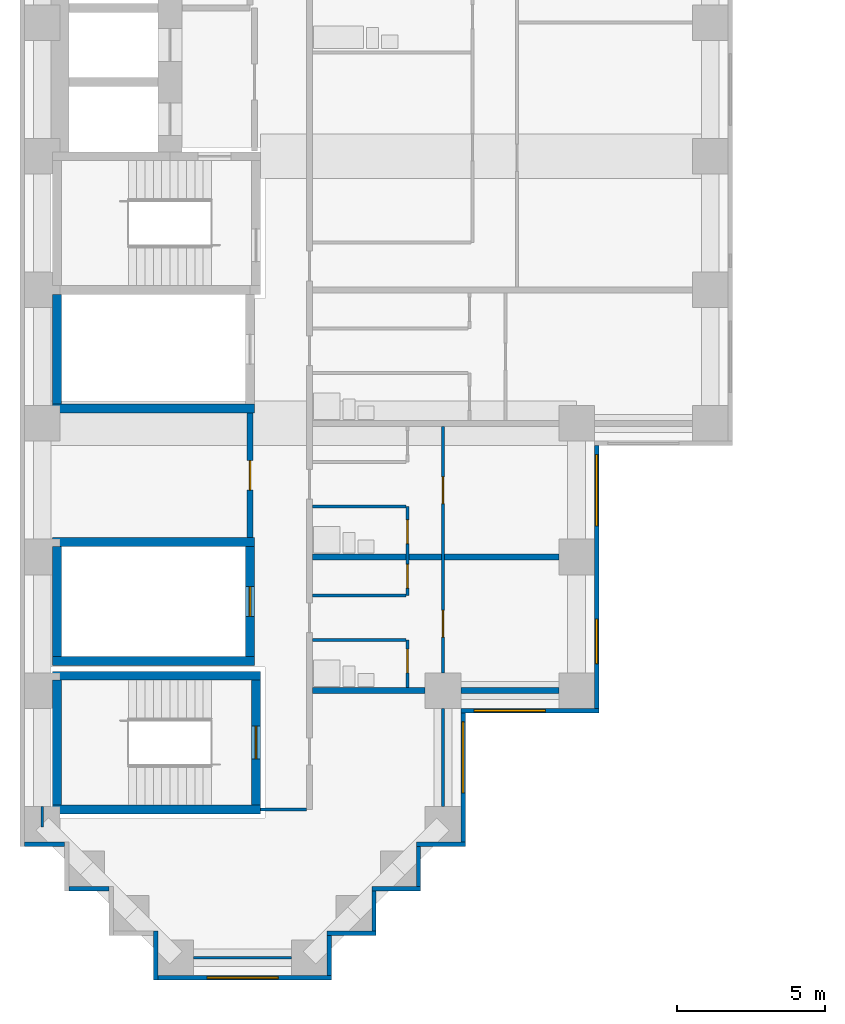
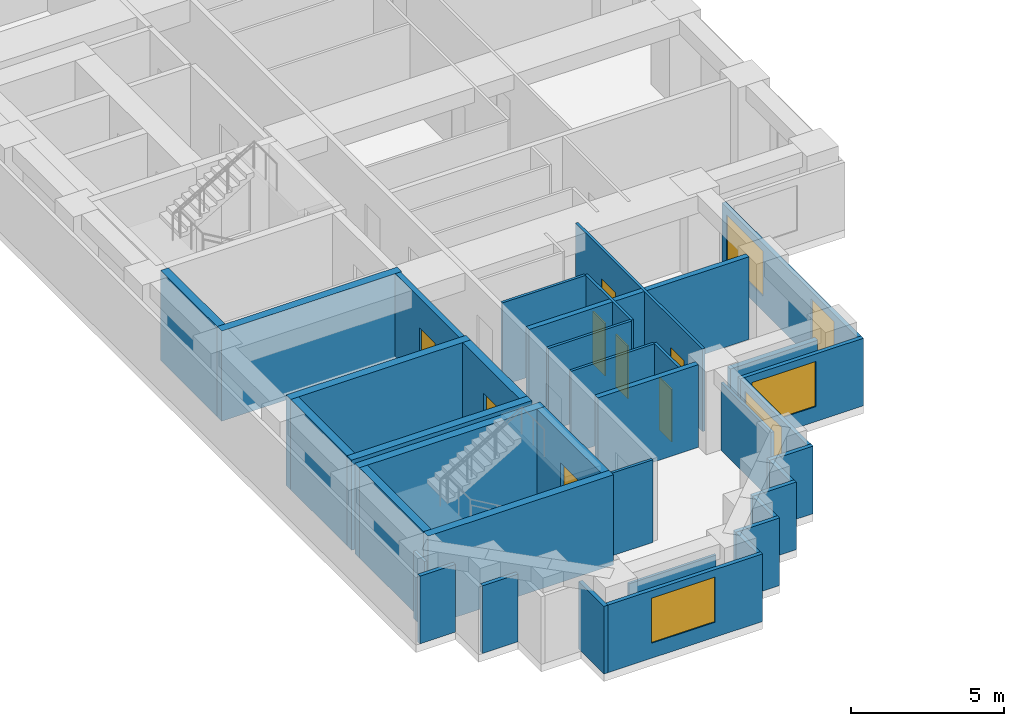
# One storey, part 2 of 12: 37 walls, 8 doors, 5 windows, 13 openings.
"""IFC4 building model written with IfcOpenShell, lengths in metres."""

from ifc_helpers import new_model, si_unit, direction, frame, frame_2d, origin, place, context, subcontext, project, spatial, rectangle, extrude, material, layer, layer_set, type_object, element, fill, save


model = new_model("IFC4")

# Units and contexts
model_context = context("Model", 3, precision=1e-05, world=origin(), true_north=direction((0.0, 1.0)))
body_context = subcontext(model_context, "Body", "Model", "MODEL_VIEW")
ifc_project = project(units=[si_unit("LENGTHUNIT", "METRE"), si_unit("AREAUNIT", "SQUARE_METRE"), si_unit("VOLUMEUNIT", "CUBIC_METRE"), si_unit("PLANEANGLEUNIT", "RADIAN"), si_unit("MASSUNIT", "GRAM", prefix="KILO")], contexts=[model_context])

# Site, building, storey
site_placement = place(None, origin())
site = spatial("IfcSite", under=ifc_project, at=site_placement, CompositionType="ELEMENT")
building_placement = place(site_placement, origin())
building = spatial("IfcBuilding", under=site, at=building_placement, Name="Firuza Court", CompositionType="ELEMENT")
storey_placement = place(building_placement, frame((0.0, 0.0, 39.800048828125)))
storey = spatial("IfcBuildingStorey", under=building, at=storey_placement, Name="L08", CompositionType="ELEMENT", Elevation=39.800048828125)

# Walls
ifc_material_1 = material(Name="Moisture-resistant gypsum board partition")
ifc_layer_1 = layer(ifc_material_1, 0.10009765625)
ifc_layer_set_1 = layer_set([ifc_layer_1], Name="Moisture-resistant gypsum board partition")
wall_type_1 = type_object("IfcWallType", Name="Bathroom partition 100", PredefinedType="PLUMBINGWALL", material=ifc_layer_set_1)
for number, where, z_axis, x_axis, name in (
    (1, (9.10009765625, 10.699951171875, 0.0), (0.0, 0.0, 1.0), (1.0, 0.0, 0.0), "Bathroom partition 100 L08"),
    (2, (9.10009765625, 15.199951171875, 0.0), (0.0, 0.0, 1.0), (1.0, 0.0, 0.0), "Bathroom partition 100 L08"),
):
    element("IfcWall", number, at=place(storey_placement, frame(where, z_axis=z_axis, x_axis=x_axis)), inside=storey, type_object=wall_type_1, Name=name, PredefinedType="PLUMBINGWALL", context=body_context, shape_type="SweptSolid", body=[
        extrude(rectangle(XDim=3.14990234375, YDim=0.10009765625, at=frame_2d((1.574951171875, 0.0))), origin(), (0.0, 0.0, 1.0), 3.300048828125),
    ])
ifc_material_2 = material(Name="Concrete C60/75", Category="concrete")
ifc_layer_2 = layer(ifc_material_2, 0.300048828125)
ifc_layer_set_2 = layer_set([ifc_layer_2], Name="Concrete C60/75")
wall_type_2 = type_object("IfcWallType", Name="Core wall 300 C60/75", PredefinedType="SHEAR", material=ifc_layer_set_2)
for number, where, z_axis, x_axis, name in (
    (3, (0.35009765625, 5.0, -0.300048828125), (0.0, 0.0, 1.0), (1.0, 0.0, 0.0), "Core wall stair L08"),
    (4, (0.35009765625, 9.5, -0.300048828125), (0.0, 0.0, 1.0), (1.0, 0.0, 0.0), "Core wall stair L08"),
):
    element("IfcWall", number, at=place(storey_placement, frame(where, z_axis=z_axis, x_axis=x_axis)), inside=storey, type_object=wall_type_2, Name=name, PredefinedType="SHEAR", context=body_context, shape_type="SweptSolid", body=[
        extrude(rectangle(XDim=7.0, YDim=0.300048828125, at=frame_2d((3.5, 0.0))), origin(), (0.0, 0.0, 1.0), 3.60009765625),
    ])
for number, where, z_axis, x_axis, name in (
    (5, (0.35009765625, 10.0, -0.300048828125), (0.0, 0.0, 1.0), (1.0, 0.0, 0.0), "Core wall riser L08"),
    (6, (0.35009765625, 14.0, -0.300048828125), (0.0, 0.0, 1.0), (1.0, 0.0, 0.0), "Core wall riser L08"),
    (7, (0.35009765625, 18.5, -0.300048828125), (0.0, 0.0, 1.0), (1.0, 0.0, 0.0), "Core wall riser L08"),
):
    element("IfcWall", number, at=place(storey_placement, frame(where, z_axis=z_axis, x_axis=x_axis)), inside=storey, type_object=wall_type_2, Name=name, PredefinedType="SHEAR", context=body_context, shape_type="SweptSolid", body=[
        extrude(rectangle(XDim=6.7998046875, YDim=0.300048828125, at=frame_2d((3.39990234375, 0.0))), origin(), (0.0, 0.0, 1.0), 3.60009765625),
    ])
wall_1_placement = place(storey_placement, frame((0.5, 5.14990234375, -0.300048828125), z_axis=(0.0, 0.0, 1.0), x_axis=(0.0, 1.0, 0.0)))
element("IfcWall", 8, at=wall_1_placement, inside=storey, type_object=wall_type_2, Name="Core wall stair L08", PredefinedType="SHEAR", context=body_context, shape_type="SweptSolid", body=[
    extrude(rectangle(XDim=4.2001953125, YDim=0.300048828125, at=frame_2d((2.10009765625, 0.0))), origin(), (0.0, 0.0, 1.0), 3.60009765625),
])
for number, where, z_axis, x_axis, name in (
    (9, (0.5, 10.14990234375, -0.300048828125), (0.0, 0.0, 1.0), (0.0, 1.0, 0.0), "Core wall riser L08"),
    (10, (0.5, 18.64990234375, -0.300048828125), (0.0, 0.0, 1.0), (0.0, 1.0, 0.0), "Core wall riser L08"),
):
    element("IfcWall", number, at=place(storey_placement, frame(where, z_axis=z_axis, x_axis=x_axis)), inside=storey, type_object=wall_type_2, Name=name, PredefinedType="SHEAR", context=body_context, shape_type="SweptSolid", body=[
        extrude(rectangle(XDim=3.7001953125, YDim=0.300048828125, at=frame_2d((1.85009765625, 0.0))), origin(), (0.0, 0.0, 1.0), 3.60009765625),
    ])

# Wall, opening, door
wall_2_placement = place(storey_placement, frame((7.0, 10.14990234375, -0.300048828125), z_axis=(0.0, 0.0, 1.0), x_axis=(0.0, 1.0, 0.0)))
wall_2 = element("IfcWall", 11, at=wall_2_placement, inside=storey, type_object=wall_type_2, Name="Core wall riser L08", PredefinedType="SHEAR", context=body_context, shape_type="SweptSolid", body=[
    extrude(rectangle(XDim=3.7001953125, YDim=0.300048828125, at=frame_2d((1.85009765625, 0.0))), origin(), (0.0, 0.0, 1.0), 3.60009765625),
])
opening_1_placement = place(wall_2_placement, frame((1.35009765625, 0.0, 0.300048828125)))
opening_1 = element("IfcOpeningElement", 12, at=opening_1_placement, cuts=wall_2, Name="Opening D08012", PredefinedType="OPENING", context=body_context, shape_type="SweptSolid", body=[
    extrude(rectangle(XDim=1.0, YDim=2.10009765625, at=frame_2d((0.5, 1.050048828125))), frame((0.0, 0.162109375, 0.0), z_axis=(0.0, -1.0, 0.0), x_axis=(1.0, 0.0, 0.0)), (0.0, 0.0, 1.0), 0.323974609375),
])
ifc_material_3 = material(Name="Timber door leaf in hardwood frame", Category="wood")
door_type_1 = type_object("IfcDoorType", Name="Riser door 1000", OperationType="SINGLE_SWING_LEFT", PredefinedType="DOOR", material=ifc_material_3)
door_1_placement = place(opening_1_placement, origin())
door_1 = element("IfcDoor", 13, at=door_1_placement, inside=storey, type_object=door_type_1, Name="Riser door R4", OperationType="SINGLE_SWING_LEFT", OverallHeight=2.10009765625, OverallWidth=1.0, PredefinedType="DOOR", context=body_context, shape_type="SweptSolid", body=[
    extrude(rectangle(XDim=1.0, YDim=2.10009765625, at=frame_2d((0.5, 1.050048828125))), frame((0.0, 0.02490234375, 0.0), z_axis=(0.0, -1.0, 0.0), x_axis=(1.0, 0.0, 0.0)), (0.0, 0.0, 1.0), 0.050048828125),
])
fill(opening_1, door_1)

wall_3_placement = place(storey_placement, frame((7.199951171875, 5.14990234375, -0.300048828125), z_axis=(0.0, 0.0, 1.0), x_axis=(0.0, 1.0, 0.0)))
wall_3 = element("IfcWall", 14, at=wall_3_placement, inside=storey, type_object=wall_type_2, Name="Core wall stair L08", PredefinedType="SHEAR", context=body_context, shape_type="SweptSolid", body=[
    extrude(rectangle(XDim=4.2001953125, YDim=0.300048828125, at=frame_2d((2.10009765625, 0.0))), origin(), (0.0, 0.0, 1.0), 3.60009765625),
])
opening_2_placement = place(wall_3_placement, frame((1.550048828125, 0.0, 0.300048828125)))
opening_2 = element("IfcOpeningElement", 15, at=opening_2_placement, cuts=wall_3, Name="Opening D08018", PredefinedType="OPENING", context=body_context, shape_type="SweptSolid", body=[
    extrude(rectangle(XDim=1.10009765625, YDim=2.10009765625, at=frame_2d((0.550048828125, 1.050048828125))), frame((0.0, 0.162109375, 0.0), z_axis=(0.0, -1.0, 0.0), x_axis=(1.0, 0.0, 0.0)), (0.0, 0.0, 1.0), 0.323974609375),
])
ifc_material_4 = material(Name="Timber door leaf in hardwood frame", Category="wood")
door_type_2 = type_object("IfcDoorType", Name="Stair door 1100", OperationType="SINGLE_SWING_LEFT", PredefinedType="DOOR", material=ifc_material_4)
door_2_placement = place(opening_2_placement, origin())
door_2 = element("IfcDoor", 16, at=door_2_placement, inside=storey, type_object=door_type_2, Name="Stair door S5", OperationType="SINGLE_SWING_LEFT", OverallHeight=2.10009765625, OverallWidth=1.10009765625, PredefinedType="DOOR", context=body_context, shape_type="SweptSolid", body=[
    extrude(rectangle(XDim=1.10009765625, YDim=2.10009765625, at=frame_2d((0.550048828125, 1.050048828125))), frame((0.0, 0.02490234375, 0.0), z_axis=(0.0, -1.0, 0.0), x_axis=(1.0, 0.0, 0.0)), (0.0, 0.0, 1.0), 0.050048828125),
])
fill(opening_2, door_2)

ifc_material_5 = material(Name="Blockwork, plastered both sides", Category="masonry")
ifc_layer_3 = layer(ifc_material_5, 0.199951171875)
ifc_layer_set_3 = layer_set([ifc_layer_3], Name="Blockwork, plastered both sides")
wall_type_3 = type_object("IfcWallType", Name="Corridor wall 200", PredefinedType="PARTITIONING", material=ifc_layer_set_3)
wall_4_placement = place(storey_placement, frame((7.0, 14.14990234375, 0.0), z_axis=(0.0, 0.0, 1.0), x_axis=(0.0, 1.0, 0.0)))
wall_4 = element("IfcWall", 17, at=wall_4_placement, inside=storey, type_object=wall_type_3, Name="Corridor wall 200 L08", PredefinedType="PARTITIONING", context=body_context, shape_type="SweptSolid", body=[
    extrude(rectangle(XDim=4.2001953125, YDim=0.199951171875, at=frame_2d((2.10009765625, 0.0))), origin(), (0.0, 0.0, 1.0), 3.300048828125),
])
opening_3_placement = place(wall_4_placement, frame((1.60009765625, 0.0, 0.0)))
opening_3 = element("IfcOpeningElement", 18, at=opening_3_placement, cuts=wall_4, Name="Opening D08030", PredefinedType="OPENING", context=body_context, shape_type="SweptSolid", body=[
    extrude(rectangle(XDim=1.0, YDim=2.10009765625, at=frame_2d((0.5, 1.050048828125))), frame((0.0, 0.11181640625, 0.0), z_axis=(0.0, -1.0, 0.0), x_axis=(1.0, 0.0, 0.0)), (0.0, 0.0, 1.0), 0.223876953125),
])
ifc_material_6 = material(Name="Timber door leaf in hardwood frame", Category="wood")
door_type_3 = type_object("IfcDoorType", Name="Store door 1000", OperationType="SINGLE_SWING_LEFT", PredefinedType="DOOR", material=ifc_material_6)
door_3_placement = place(opening_3_placement, origin())
door_3 = element("IfcDoor", 19, at=door_3_placement, inside=storey, type_object=door_type_3, Name="Parcel room door", OperationType="SINGLE_SWING_LEFT", OverallHeight=2.10009765625, OverallWidth=1.0, PredefinedType="DOOR", context=body_context, shape_type="SweptSolid", body=[
    extrude(rectangle(XDim=1.0, YDim=2.10009765625, at=frame_2d((0.5, 1.050048828125))), frame((0.0, 0.02490234375, 0.0), z_axis=(0.0, -1.0, 0.0), x_axis=(1.0, 0.0, 0.0)), (0.0, 0.0, 1.0), 0.050048828125),
])
fill(opening_3, door_3)

# Walls
ifc_material_7 = material(Name="Timber stud partition, plasterboard both sides", Category="wood")
ifc_layer_4 = layer(ifc_material_7, 0.10009765625)
ifc_layer_set_4 = layer_set([ifc_layer_4], Name="Timber stud partition, plasterboard both sides")
wall_type_4 = type_object("IfcWallType", Name="Partition wall 100", PredefinedType="PARTITIONING", material=ifc_layer_set_4)
wall_5_placement = place(storey_placement, frame((5.10009765625, 0.0, 0.0), z_axis=(0.0, 0.0, 1.0), x_axis=(1.0, 0.0, 0.0)))
element("IfcWall", 20, at=wall_5_placement, inside=storey, type_object=wall_type_4, Name="Partition wall 100 L08", PredefinedType="PARTITIONING", context=body_context, shape_type="SweptSolid", body=[
    extrude(rectangle(XDim=3.2998046875, YDim=0.10009765625, at=frame_2d((1.64990234375, 0.0))), origin(), (0.0, 0.0, 1.0), 2.699951171875),
])
wall_6_placement = place(storey_placement, frame((0.0, 4.39990234375, 0.0), z_axis=(0.0, 0.0, 1.0), x_axis=(0.0, 1.0, 0.0)))
element("IfcWall", 21, at=wall_6_placement, inside=storey, type_object=wall_type_4, Name="Partition wall 100 L08", PredefinedType="PARTITIONING", context=body_context, shape_type="SweptSolid", body=[
    extrude(rectangle(XDim=0.7001953125, YDim=0.10009765625, at=frame_2d((0.35009765625, 0.0))), origin(), (0.0, 0.0, 1.0), 2.699951171875),
])
wall_7_placement = place(storey_placement, frame((7.34912109375, 5.0, 0.0), z_axis=(0.0, 0.0, 1.0), x_axis=(1.0, 0.0, 0.0)))
element("IfcWall", 22, at=wall_7_placement, inside=storey, type_object=wall_type_4, Name="Partition wall 100 L08", PredefinedType="PARTITIONING", context=body_context, shape_type="SweptSolid", body=[
    extrude(rectangle(XDim=1.55078125, YDim=0.10009765625, at=frame_2d((0.775390625, 0.0))), origin(), (0.0, 0.0, 1.0), 3.300048828125),
])
wall_8_placement = place(storey_placement, frame((13.5, 5.10009765625, 0.0), z_axis=(0.0, 0.0, 1.0), x_axis=(0.0, 1.0, 0.0)))
element("IfcWall", 23, at=wall_8_placement, inside=storey, type_object=wall_type_4, Name="Partition wall 100 L08", PredefinedType="PARTITIONING", context=body_context, shape_type="SweptSolid", body=[
    extrude(rectangle(XDim=3.2998046875, YDim=0.10009765625, at=frame_2d((1.64990234375, 0.0))), origin(), (0.0, 0.0, 1.0), 2.699951171875),
])

# Wall, opening, door
wall_9_placement = place(storey_placement, frame((12.300048828125, 9.10009765625, 0.0), z_axis=(0.0, 0.0, 1.0), x_axis=(0.0, 1.0, 0.0)))
wall_9 = element("IfcWall", 24, at=wall_9_placement, inside=storey, type_object=wall_type_4, Name="Partition wall 100 L08", PredefinedType="PARTITIONING", context=body_context, shape_type="SweptSolid", body=[
    extrude(rectangle(XDim=1.599853515625, YDim=0.10009765625, at=frame_2d((0.7998046875, 0.0))), origin(), (0.0, 0.0, 1.0), 3.300048828125),
])
opening_4_placement = place(wall_9_placement, frame((0.5, 0.0, 0.0)))
opening_4 = element("IfcOpeningElement", 25, at=opening_4_placement, cuts=wall_9, Name="Opening D08025", PredefinedType="OPENING", context=body_context, shape_type="SweptSolid", body=[
    extrude(rectangle(XDim=0.800048828125, YDim=2.10009765625, at=frame_2d((0.39990234375, 1.050048828125))), frame((0.0, 0.06201171875, 0.0), z_axis=(0.0, -1.0, 0.0), x_axis=(1.0, 0.0, 0.0)), (0.0, 0.0, 1.0), 0.1240234375),
])
ifc_material_8 = material(Name="Timber door leaf in hardwood frame", Category="wood")
door_type_4 = type_object("IfcDoorType", Name="Bathroom door 800", OperationType="SINGLE_SWING_LEFT", PredefinedType="DOOR", material=ifc_material_8)
door_4_placement = place(opening_4_placement, origin())
door_4 = element("IfcDoor", 26, at=door_4_placement, inside=storey, type_object=door_type_4, Name="Bathroom door", OperationType="SINGLE_SWING_RIGHT", OverallHeight=2.10009765625, OverallWidth=0.800048828125, PredefinedType="DOOR", context=body_context, shape_type="SweptSolid", body=[
    extrude(rectangle(XDim=0.800048828125, YDim=2.10009765625, at=frame_2d((0.39990234375, 1.050048828125))), frame((0.0, 0.02490234375, 0.0), z_axis=(0.0, -1.0, 0.0), x_axis=(1.0, 0.0, 0.0)), (0.0, 0.0, 1.0), 0.050048828125),
])
fill(opening_4, door_4)

# Wall, openings, doors
wall_10_placement = place(storey_placement, frame((13.5, 9.60009765625, 0.0), z_axis=(0.0, 0.0, 1.0), x_axis=(0.0, 1.0, 0.0)))
wall_10 = element("IfcWall", 27, at=wall_10_placement, inside=storey, type_object=wall_type_4, Name="Partition wall 100 L08", PredefinedType="PARTITIONING", context=body_context, shape_type="SweptSolid", body=[
    extrude(rectangle(XDim=8.2998046875, YDim=0.10009765625, at=frame_2d((4.14990234375, 0.0))), origin(), (0.0, 0.0, 1.0), 3.300048828125),
])
opening_5_placement = place(wall_10_placement, frame((5.699951171875, 0.0, 0.0)))
opening_5 = element("IfcOpeningElement", 28, at=opening_5_placement, cuts=wall_10, Name="Opening D08026", PredefinedType="OPENING", context=body_context, shape_type="SweptSolid", body=[
    extrude(rectangle(XDim=0.89990234375, YDim=2.10009765625, at=frame_2d((0.449951171875, 1.050048828125))), frame((0.0, 0.06201171875, 0.0), z_axis=(0.0, -1.0, 0.0), x_axis=(1.0, 0.0, 0.0)), (0.0, 0.0, 1.0), 0.1240234375),
])
opening_6_placement = place(wall_10_placement, frame((1.199951171875, 0.0, 0.0)))
opening_6 = element("IfcOpeningElement", 29, at=opening_6_placement, cuts=wall_10, Name="Opening D08027", PredefinedType="OPENING", context=body_context, shape_type="SweptSolid", body=[
    extrude(rectangle(XDim=0.89990234375, YDim=2.10009765625, at=frame_2d((0.449951171875, 1.050048828125))), frame((0.0, 0.06201171875, 0.0), z_axis=(0.0, -1.0, 0.0), x_axis=(1.0, 0.0, 0.0)), (0.0, 0.0, 1.0), 0.1240234375),
])
ifc_material_9 = material(Name="Timber door leaf in hardwood frame", Category="wood")
door_type_5 = type_object("IfcDoorType", Name="Room door 900", OperationType="SINGLE_SWING_LEFT", PredefinedType="DOOR", material=ifc_material_9)
door_5_placement = place(opening_5_placement, frame((0.89990234375, 0.0, 0.0), z_axis=(0.0, 0.0, 1.0), x_axis=(-1.0, 0.0, 0.0)))
door_5 = element("IfcDoor", 30, at=door_5_placement, inside=storey, type_object=door_type_5, Name="Studio room door", OperationType="SINGLE_SWING_RIGHT", OverallHeight=2.10009765625, OverallWidth=0.89990234375, PredefinedType="DOOR", context=body_context, shape_type="SweptSolid", body=[
    extrude(rectangle(XDim=0.89990234375, YDim=2.10009765625, at=frame_2d((0.449951171875, 1.050048828125))), frame((0.0, 0.02490234375, 0.0), z_axis=(0.0, -1.0, 0.0), x_axis=(1.0, 0.0, 0.0)), (0.0, 0.0, 1.0), 0.050048828125),
])
fill(opening_5, door_5)
door_6_placement = place(opening_6_placement, frame((0.89990234375, 0.0, 0.0), z_axis=(0.0, 0.0, 1.0), x_axis=(-1.0, 0.0, 0.0)))
door_6 = element("IfcDoor", 31, at=door_6_placement, inside=storey, type_object=door_type_5, Name="Studio room door", OperationType="SINGLE_SWING_RIGHT", OverallHeight=2.10009765625, OverallWidth=0.89990234375, PredefinedType="DOOR", context=body_context, shape_type="SweptSolid", body=[
    extrude(rectangle(XDim=0.89990234375, YDim=2.10009765625, at=frame_2d((0.449951171875, 1.050048828125))), frame((0.0, 0.02490234375, 0.0), z_axis=(0.0, -1.0, 0.0), x_axis=(1.0, 0.0, 0.0)), (0.0, 0.0, 1.0), 0.050048828125),
])
fill(opening_6, door_6)

# Wall
wall_11_placement = place(storey_placement, frame((9.10009765625, 12.199951171875, 0.0), z_axis=(0.0, 0.0, 1.0), x_axis=(1.0, 0.0, 0.0)))
element("IfcWall", 32, at=wall_11_placement, inside=storey, type_object=wall_type_4, Name="Partition wall 100 L08", PredefinedType="PARTITIONING", context=body_context, shape_type="SweptSolid", body=[
    extrude(rectangle(XDim=3.14990234375, YDim=0.10009765625, at=frame_2d((1.574951171875, 0.0))), origin(), (0.0, 0.0, 1.0), 3.300048828125),
])

# Wall, openings, doors
wall_12_placement = place(storey_placement, frame((12.300048828125, 12.199951171875, 0.0), z_axis=(0.0, 0.0, 1.0), x_axis=(0.0, 1.0, 0.0)))
wall_12 = element("IfcWall", 33, at=wall_12_placement, inside=storey, type_object=wall_type_4, Name="Partition wall 100 L08", PredefinedType="PARTITIONING", context=body_context, shape_type="SweptSolid", body=[
    extrude(rectangle(XDim=3.0, YDim=0.10009765625, at=frame_2d((1.5, 0.0))), origin(), (0.0, 0.0, 1.0), 3.300048828125),
])
opening_7_placement = place(wall_12_placement, frame((1.75, 0.0, 0.0)))
opening_7 = element("IfcOpeningElement", 34, at=opening_7_placement, cuts=wall_12, Name="Opening D08028", PredefinedType="OPENING", context=body_context, shape_type="SweptSolid", body=[
    extrude(rectangle(XDim=0.800048828125, YDim=2.10009765625, at=frame_2d((0.39990234375, 1.050048828125))), frame((0.0, 0.06201171875, 0.0), z_axis=(0.0, -1.0, 0.0), x_axis=(1.0, 0.0, 0.0)), (0.0, 0.0, 1.0), 0.1240234375),
])
opening_8_placement = place(wall_12_placement, frame((0.25, 0.0, 0.0)))
opening_8 = element("IfcOpeningElement", 35, at=opening_8_placement, cuts=wall_12, Name="Opening D08029", PredefinedType="OPENING", context=body_context, shape_type="SweptSolid", body=[
    extrude(rectangle(XDim=0.800048828125, YDim=2.10009765625, at=frame_2d((0.39990234375, 1.050048828125))), frame((0.0, 0.06201171875, 0.0), z_axis=(0.0, -1.0, 0.0), x_axis=(1.0, 0.0, 0.0)), (0.0, 0.0, 1.0), 0.1240234375),
])
door_7_placement = place(opening_7_placement, origin())
door_7 = element("IfcDoor", 36, at=door_7_placement, inside=storey, type_object=door_type_4, Name="Bathroom door", OperationType="SINGLE_SWING_LEFT", OverallHeight=2.10009765625, OverallWidth=0.800048828125, PredefinedType="DOOR", context=body_context, shape_type="SweptSolid", body=[
    extrude(rectangle(XDim=0.800048828125, YDim=2.10009765625, at=frame_2d((0.39990234375, 1.050048828125))), frame((0.0, 0.02490234375, 0.0), z_axis=(0.0, -1.0, 0.0), x_axis=(1.0, 0.0, 0.0)), (0.0, 0.0, 1.0), 0.050048828125),
])
fill(opening_7, door_7)
ifc_material_10 = material(Name="Timber door leaf in hardwood frame", Category="wood")
door_type_6 = type_object("IfcDoorType", Name="Room door 800", OperationType="SINGLE_SWING_LEFT", PredefinedType="DOOR", material=ifc_material_10)
door_8_placement = place(opening_8_placement, origin())
door_8 = element("IfcDoor", 37, at=door_8_placement, inside=storey, type_object=door_type_6, Name="Kitchen door", OperationType="SINGLE_SWING_LEFT", OverallHeight=2.10009765625, OverallWidth=0.800048828125, PredefinedType="DOOR", context=body_context, shape_type="SweptSolid", body=[
    extrude(rectangle(XDim=0.800048828125, YDim=2.10009765625, at=frame_2d((0.39990234375, 1.050048828125))), frame((0.0, 0.02490234375, 0.0), z_axis=(0.0, -1.0, 0.0), x_axis=(1.0, 0.0, 0.0)), (0.0, 0.0, 1.0), 0.050048828125),
])
fill(opening_8, door_8)

# Walls
ifc_layer_5 = layer(ifc_material_5, 0.199951171875)
ifc_layer_set_5 = layer_set([ifc_layer_5], Name="Blockwork, plastered both sides")
wall_type_5 = type_object("IfcWallType", Name="Party wall 200", PredefinedType="PARTITIONING", material=ifc_layer_set_5)
wall_13_placement = place(storey_placement, frame((9.10009765625, 9.0, 0.0), z_axis=(0.0, 0.0, 1.0), x_axis=(1.0, 0.0, 0.0)))
element("IfcWall", 38, at=wall_13_placement, inside=storey, type_object=wall_type_5, Name="Party wall 200 L08", PredefinedType="PARTITIONING", context=body_context, shape_type="SweptSolid", body=[
    extrude(rectangle(XDim=3.7998046875, YDim=0.199951171875, at=frame_2d((1.89990234375, 0.0))), origin(), (0.0, 0.0, 1.0), 3.300048828125),
])
wall_14_placement = place(storey_placement, frame((14.10009765625, 9.0, 0.0), z_axis=(0.0, 0.0, 1.0), x_axis=(1.0, 0.0, 0.0)))
element("IfcWall", 39, at=wall_14_placement, inside=storey, type_object=wall_type_5, Name="Party wall 200 L08", PredefinedType="PARTITIONING", context=body_context, shape_type="SweptSolid", body=[
    extrude(rectangle(XDim=3.2998046875, YDim=0.199951171875, at=frame_2d((1.64990234375, 0.0))), origin(), (0.0, 0.0, 1.0), 2.699951171875),
])
wall_15_placement = place(storey_placement, frame((9.10009765625, 13.5, 0.0), z_axis=(0.0, 0.0, 1.0), x_axis=(1.0, 0.0, 0.0)))
element("IfcWall", 40, at=wall_15_placement, inside=storey, type_object=wall_type_5, Name="Party wall 200 L08", PredefinedType="PARTITIONING", context=body_context, shape_type="SweptSolid", body=[
    extrude(rectangle(XDim=8.2998046875, YDim=0.199951171875, at=frame_2d((4.14990234375, 0.0))), origin(), (0.0, 0.0, 1.0), 3.300048828125),
])
ifc_material_11 = material(Name="Ceramic tile", Category="ceramic")
ifc_layer_6 = layer(ifc_material_11, 0.02001953125)
ifc_material_12 = material(Name="Mineral wool insulation", Category="insulation")
ifc_layer_7 = layer(ifc_material_12, 0.050048828125)
ifc_material_13 = material(Name="Concrete C40/50 precast", Category="concrete")
ifc_layer_8 = layer(ifc_material_13, 0.080078125)
ifc_layer_set_6 = layer_set([ifc_layer_6, ifc_layer_7, ifc_layer_8], Name="Concrete C40/50 precast")
wall_type_6 = type_object("IfcWallType", Name="Precast cladding wall with turquoise TILE PANEL face 150", PredefinedType="STANDARD", material=ifc_layer_set_6)
wall_16_placement = place(storey_placement, frame((9.675048828125, -0.60009765625, 0.0), z_axis=(0.0, 0.0, 1.0), x_axis=(0.0, 1.0, 0.0)))
element("IfcWall", 41, at=wall_16_placement, inside=storey, type_object=wall_type_6, Name="Facade wall L08 E", PredefinedType="STANDARD", context=body_context, shape_type="SweptSolid", body=[
    extrude(rectangle(XDim=1.35009765625, YDim=0.14990234375, at=frame_2d((0.675048828125, 0.0))), origin(), (0.0, 0.0, 1.0), 2.699951171875),
])
wall_17_placement = place(storey_placement, frame((9.60009765625, 0.824951171875, 0.0), z_axis=(0.0, 0.0, 1.0), x_axis=(1.0, 0.0, 0.0)))
element("IfcWall", 42, at=wall_17_placement, inside=storey, type_object=wall_type_6, Name="Facade wall L08 S", PredefinedType="STANDARD", context=body_context, shape_type="SweptSolid", body=[
    extrude(rectangle(XDim=1.64990234375, YDim=0.14990234375, at=frame_2d((0.824951171875, 0.0))), origin(), (0.0, 0.0, 1.0), 2.699951171875),
])
wall_18_placement = place(storey_placement, frame((11.175048828125, 0.89990234375, 0.0), z_axis=(0.0, 0.0, 1.0), x_axis=(0.0, 1.0, 0.0)))
element("IfcWall", 43, at=wall_18_placement, inside=storey, type_object=wall_type_6, Name="Facade wall L08 E", PredefinedType="STANDARD", context=body_context, shape_type="SweptSolid", body=[
    extrude(rectangle(XDim=1.35009765625, YDim=0.14990234375, at=frame_2d((0.675048828125, 0.0))), origin(), (0.0, 0.0, 1.0), 2.699951171875),
])
wall_19_placement = place(storey_placement, frame((11.10009765625, 2.324951171875, 0.0), z_axis=(0.0, 0.0, 1.0), x_axis=(1.0, 0.0, 0.0)))
element("IfcWall", 44, at=wall_19_placement, inside=storey, type_object=wall_type_6, Name="Facade wall L08 S", PredefinedType="STANDARD", context=body_context, shape_type="SweptSolid", body=[
    extrude(rectangle(XDim=1.64990234375, YDim=0.14990234375, at=frame_2d((0.824951171875, 0.0))), origin(), (0.0, 0.0, 1.0), 2.699951171875),
])
wall_20_placement = place(storey_placement, frame((12.675048828125, 2.39990234375, 0.0), z_axis=(0.0, 0.0, 1.0), x_axis=(0.0, 1.0, 0.0)))
element("IfcWall", 45, at=wall_20_placement, inside=storey, type_object=wall_type_6, Name="Facade wall L08 E", PredefinedType="STANDARD", context=body_context, shape_type="SweptSolid", body=[
    extrude(rectangle(XDim=1.35009765625, YDim=0.14990234375, at=frame_2d((0.675048828125, 0.0))), origin(), (0.0, 0.0, 1.0), 2.699951171875),
])
wall_21_placement = place(storey_placement, frame((12.60009765625, 3.824951171875, 0.0), z_axis=(0.0, 0.0, 1.0), x_axis=(1.0, 0.0, 0.0)))
element("IfcWall", 46, at=wall_21_placement, inside=storey, type_object=wall_type_6, Name="Facade wall L08 S", PredefinedType="STANDARD", context=body_context, shape_type="SweptSolid", body=[
    extrude(rectangle(XDim=1.64990234375, YDim=0.14990234375, at=frame_2d((0.824951171875, 0.0))), origin(), (0.0, 0.0, 1.0), 2.699951171875),
])

# Wall, opening, window
wall_22_placement = place(storey_placement, frame((14.175048828125, 3.89990234375, 0.0), z_axis=(0.0, 0.0, 1.0), x_axis=(0.0, 1.0, 0.0)))
wall_22 = element("IfcWall", 47, at=wall_22_placement, inside=storey, type_object=wall_type_6, Name="Facade wall L08 E", PredefinedType="STANDARD", context=body_context, shape_type="SweptSolid", body=[
    extrude(rectangle(XDim=4.35009765625, YDim=0.14990234375, at=frame_2d((2.175048828125, 0.0))), origin(), (0.0, 0.0, 1.0), 2.699951171875),
])
opening_9_placement = place(wall_22_placement, frame((1.64990234375, 0.0, 0.60009765625)))
opening_9 = element("IfcOpeningElement", 48, at=opening_9_placement, cuts=wall_22, Name="Opening W1", PredefinedType="OPENING", context=body_context, shape_type="SweptSolid", body=[
    extrude(rectangle(XDim=2.39990234375, YDim=1.800048828125, at=frame_2d((1.199951171875, 0.89990234375))), frame((0.0, 0.0869140625, 0.0), z_axis=(0.0, -1.0, 0.0), x_axis=(1.0, 0.0, 0.0)), (0.0, 0.0, 1.0), 0.173828125),
])
ifc_material_14 = material(Name="Aluminium frame, triple clear glazing", Category="aluminium")
window_type_1 = type_object("IfcWindowType", Name="Window W1 2400 x 1800", PartitioningType="SINGLE_PANEL", PredefinedType="WINDOW", material=ifc_material_14)
window_1_placement = place(opening_9_placement, origin())
window_1 = element("IfcWindow", 49, at=window_1_placement, inside=storey, type_object=window_type_1, Name="Window L08", OverallHeight=1.800048828125, OverallWidth=2.39990234375, PartitioningType="SINGLE_PANEL", PredefinedType="WINDOW", context=body_context, shape_type="SweptSolid", body=[
    extrude(rectangle(XDim=2.39990234375, YDim=1.800048828125, at=frame_2d((1.199951171875, 0.89990234375))), frame((0.0, 0.030029296875, 0.0), z_axis=(0.0, -1.0, 0.0), x_axis=(1.0, 0.0, 0.0)), (0.0, 0.0, 1.0), 0.06005859375),
])
fill(opening_9, window_1)

wall_23_placement = place(storey_placement, frame((14.10009765625, 8.324951171875, 0.0), z_axis=(0.0, 0.0, 1.0), x_axis=(1.0, 0.0, 0.0)))
wall_23 = element("IfcWall", 50, at=wall_23_placement, inside=storey, type_object=wall_type_6, Name="Facade wall L08 S", PredefinedType="STANDARD", context=body_context, shape_type="SweptSolid", body=[
    extrude(rectangle(XDim=4.64990234375, YDim=0.14990234375, at=frame_2d((2.324951171875, 0.0))), origin(), (0.0, 0.0, 1.0), 2.699951171875),
])
opening_10_placement = place(wall_23_placement, frame((0.449951171875, 0.0, 0.60009765625)))
opening_10 = element("IfcOpeningElement", 51, at=opening_10_placement, cuts=wall_23, Name="Opening W1", PredefinedType="OPENING", context=body_context, shape_type="SweptSolid", body=[
    extrude(rectangle(XDim=2.39990234375, YDim=1.800048828125, at=frame_2d((1.199951171875, 0.89990234375))), frame((0.0, 0.0869140625, 0.0), z_axis=(0.0, -1.0, 0.0), x_axis=(1.0, 0.0, 0.0)), (0.0, 0.0, 1.0), 0.173828125),
])
window_2_placement = place(opening_10_placement, origin())
window_2 = element("IfcWindow", 52, at=window_2_placement, inside=storey, type_object=window_type_1, Name="Window L08", OverallHeight=1.800048828125, OverallWidth=2.39990234375, PartitioningType="SINGLE_PANEL", PredefinedType="WINDOW", context=body_context, shape_type="SweptSolid", body=[
    extrude(rectangle(XDim=2.39990234375, YDim=1.800048828125, at=frame_2d((1.199951171875, 0.89990234375))), frame((0.0, 0.030029296875, 0.0), z_axis=(0.0, -1.0, 0.0), x_axis=(1.0, 0.0, 0.0)), (0.0, 0.0, 1.0), 0.06005859375),
])
fill(opening_10, window_2)

# Wall, openings, windows
wall_24_placement = place(storey_placement, frame((18.675048828125, 8.39990234375, 0.0), z_axis=(0.0, 0.0, 1.0), x_axis=(0.0, 1.0, 0.0)))
wall_24 = element("IfcWall", 53, at=wall_24_placement, inside=storey, type_object=wall_type_6, Name="Facade wall L08 E", PredefinedType="STANDARD", context=body_context, shape_type="SweptSolid", body=[
    extrude(rectangle(XDim=8.85009765625, YDim=0.14990234375, at=frame_2d((4.425048828125, 0.0))), origin(), (0.0, 0.0, 1.0), 2.699951171875),
])
opening_11_placement = place(wall_24_placement, frame((1.50537109375, 0.0, 0.60009765625)))
opening_11 = element("IfcOpeningElement", 54, at=opening_11_placement, cuts=wall_24, Name="Opening W2", PredefinedType="OPENING", context=body_context, shape_type="SweptSolid", body=[
    extrude(rectangle(XDim=1.5, YDim=1.800048828125, at=frame_2d((0.75, 0.89990234375))), frame((0.0, 0.0869140625, 0.0), z_axis=(0.0, -1.0, 0.0), x_axis=(1.0, 0.0, 0.0)), (0.0, 0.0, 1.0), 0.173828125),
])
opening_12_placement = place(wall_24_placement, frame((6.14990234375, 0.0, 0.60009765625)))
opening_12 = element("IfcOpeningElement", 55, at=opening_12_placement, cuts=wall_24, Name="Opening W1", PredefinedType="OPENING", context=body_context, shape_type="SweptSolid", body=[
    extrude(rectangle(XDim=2.39990234375, YDim=1.800048828125, at=frame_2d((1.199951171875, 0.89990234375))), frame((0.0, 0.0869140625, 0.0), z_axis=(0.0, -1.0, 0.0), x_axis=(1.0, 0.0, 0.0)), (0.0, 0.0, 1.0), 0.173828125),
])
window_3_placement = place(opening_12_placement, origin())
window_3 = element("IfcWindow", 56, at=window_3_placement, inside=storey, type_object=window_type_1, Name="Window L08", OverallHeight=1.800048828125, OverallWidth=2.39990234375, PartitioningType="SINGLE_PANEL", PredefinedType="WINDOW", context=body_context, shape_type="SweptSolid", body=[
    extrude(rectangle(XDim=2.39990234375, YDim=1.800048828125, at=frame_2d((1.199951171875, 0.89990234375))), frame((0.0, 0.030029296875, 0.0), z_axis=(0.0, -1.0, 0.0), x_axis=(1.0, 0.0, 0.0)), (0.0, 0.0, 1.0), 0.06005859375),
])
fill(opening_12, window_3)
ifc_material_15 = material(Name="Aluminium frame, triple clear glazing", Category="aluminium")
window_type_2 = type_object("IfcWindowType", Name="Window W2 1500 x 1800", PartitioningType="SINGLE_PANEL", PredefinedType="WINDOW", material=ifc_material_15)
window_4_placement = place(opening_11_placement, origin())
window_4 = element("IfcWindow", 57, at=window_4_placement, inside=storey, type_object=window_type_2, Name="Window L08", OverallHeight=1.800048828125, OverallWidth=1.5, PartitioningType="SINGLE_PANEL", PredefinedType="WINDOW", context=body_context, shape_type="SweptSolid", body=[
    extrude(rectangle(XDim=1.5, YDim=1.800048828125, at=frame_2d((0.75, 0.89990234375))), frame((0.0, 0.030029296875, 0.0), z_axis=(0.0, -1.0, 0.0), x_axis=(1.0, 0.0, 0.0)), (0.0, 0.0, 1.0), 0.06005859375),
])
fill(opening_11, window_4)

# Walls
for number, where, z_axis, x_axis, name in (
    (58, (-0.60009765625, 3.824951171875, 0.0), (0.0, 0.0, 1.0), (1.0, 0.0, 0.0), "Facade wall L08 S"),
    (59, (0.89990234375, 2.324951171875, 0.0), (0.0, 0.0, 1.0), (1.0, 0.0, 0.0), "Facade wall L08 S"),
):
    element("IfcWall", number, at=place(storey_placement, frame(where, z_axis=z_axis, x_axis=x_axis)), inside=storey, type_object=wall_type_6, Name=name, PredefinedType="STANDARD", context=body_context, shape_type="SweptSolid", body=[
        extrude(rectangle(XDim=1.35009765625, YDim=0.14990234375, at=frame_2d((0.675048828125, 0.0))), origin(), (0.0, 0.0, 1.0), 2.699951171875),
    ])
wall_25_placement = place(storey_placement, frame((3.824951171875, 0.89990234375, 0.0), z_axis=(0.0, 0.0, 1.0), x_axis=(0.0, -1.0, 0.0)))
element("IfcWall", 60, at=wall_25_placement, inside=storey, type_object=wall_type_6, Name="Facade wall L08 W", PredefinedType="STANDARD", context=body_context, shape_type="SweptSolid", body=[
    extrude(rectangle(XDim=1.64990234375, YDim=0.14990234375, at=frame_2d((0.824951171875, 0.0))), origin(), (0.0, 0.0, 1.0), 2.699951171875),
])

# Wall, opening, window
wall_26_placement = place(storey_placement, frame((3.89990234375, -0.675048828125, 0.0), z_axis=(0.0, 0.0, 1.0), x_axis=(1.0, 0.0, 0.0)))
wall_26 = element("IfcWall", 61, at=wall_26_placement, inside=storey, type_object=wall_type_6, Name="Facade wall L08 S", PredefinedType="STANDARD", context=body_context, shape_type="SweptSolid", body=[
    extrude(rectangle(XDim=5.85009765625, YDim=0.14990234375, at=frame_2d((2.925048828125, 0.0))), origin(), (0.0, 0.0, 1.0), 2.699951171875),
])
opening_13_placement = place(wall_26_placement, frame((1.64990234375, 0.0, 0.60009765625)))
opening_13 = element("IfcOpeningElement", 62, at=opening_13_placement, cuts=wall_26, Name="Opening W1", PredefinedType="OPENING", context=body_context, shape_type="SweptSolid", body=[
    extrude(rectangle(XDim=2.39990234375, YDim=1.800048828125, at=frame_2d((1.199951171875, 0.89990234375))), frame((0.0, 0.0869140625, 0.0), z_axis=(0.0, -1.0, 0.0), x_axis=(1.0, 0.0, 0.0)), (0.0, 0.0, 1.0), 0.173828125),
])
window_5_placement = place(opening_13_placement, origin())
window_5 = element("IfcWindow", 63, at=window_5_placement, inside=storey, type_object=window_type_1, Name="Window L08", OverallHeight=1.800048828125, OverallWidth=2.39990234375, PartitioningType="SINGLE_PANEL", PredefinedType="WINDOW", context=body_context, shape_type="SweptSolid", body=[
    extrude(rectangle(XDim=2.39990234375, YDim=1.800048828125, at=frame_2d((1.199951171875, 0.89990234375))), frame((0.0, 0.030029296875, 0.0), z_axis=(0.0, -1.0, 0.0), x_axis=(1.0, 0.0, 0.0)), (0.0, 0.0, 1.0), 0.06005859375),
])
fill(opening_13, window_5)

save(model, "model.ifc")
